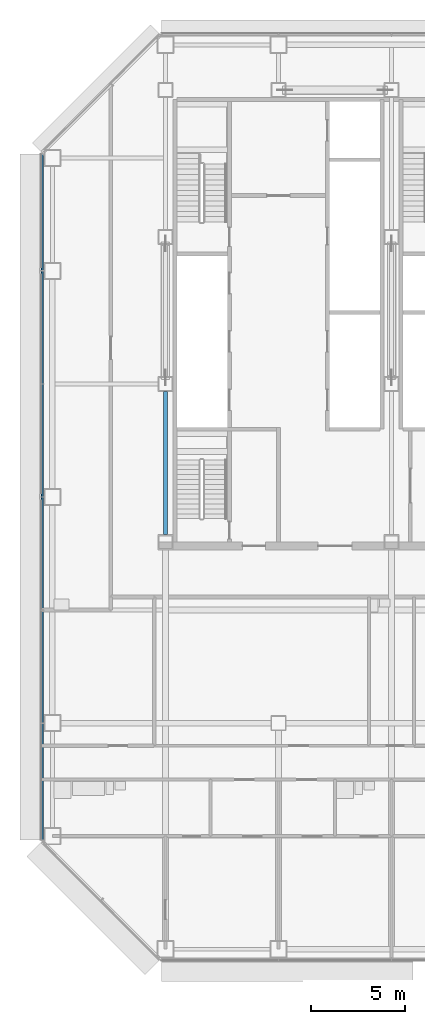
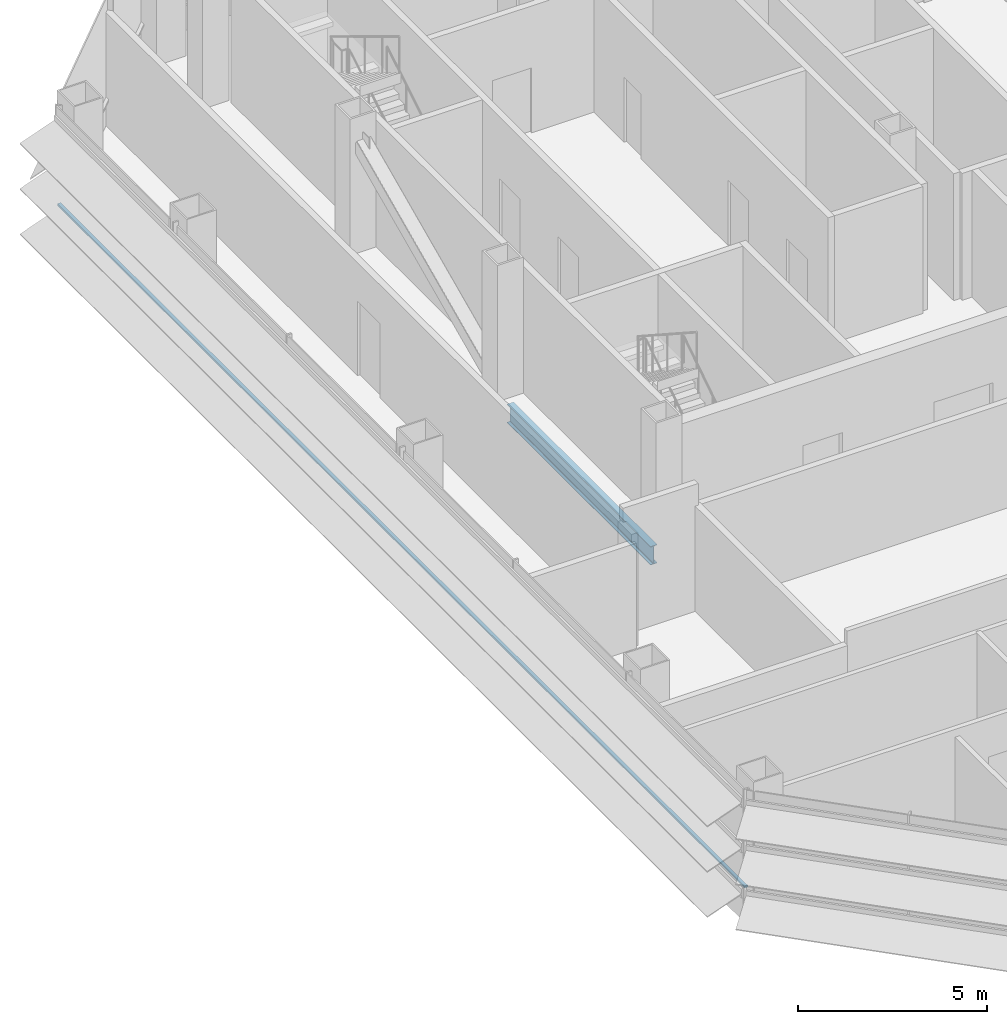
# One storey, part 5 of 27: 1 beam, 1 member, 1 element without a shape of its own.
"""IFC4 building model written with IfcOpenShell, lengths in metres."""

from ifc_helpers import new_model, si_unit, direction, frame, origin, origin_2d, place, context, subcontext, project, spatial, rectangle, i_section, extrude, material, material_profile, profile_set, type_object, element, aggregate, save


model = new_model("IFC4")

# Units and contexts
model_context = context("Model", 3, precision=1e-05, world=origin(), true_north=direction((0.0, 1.0)))
body_context = subcontext(model_context, "Body", "Model", "MODEL_VIEW")
ifc_project = project(units=[si_unit("LENGTHUNIT", "METRE"), si_unit("AREAUNIT", "SQUARE_METRE"), si_unit("VOLUMEUNIT", "CUBIC_METRE"), si_unit("PLANEANGLEUNIT", "RADIAN"), si_unit("MASSUNIT", "GRAM", prefix="KILO")], contexts=[model_context])

# Site, building, storey
site_placement = place(None, origin())
site = spatial("IfcSite", under=ifc_project, at=site_placement, CompositionType="ELEMENT")
building_placement = place(site_placement, origin())
building = spatial("IfcBuilding", under=site, at=building_placement, Name="Sorahane Residences", CompositionType="ELEMENT")
storey_placement = place(building_placement, frame((0.0, 0.0, 85.800048828125)))
storey = spatial("IfcBuildingStorey", under=building, at=storey_placement, Name="L18", CompositionType="ELEMENT", Elevation=85.800048828125)

# Curtain wall, member
ifc_material_1 = material(Name="Dark low-e glass and black anodised aluminium", Category="aluminium")
curtain_wall_type = type_object("IfcCurtainWallType", Name="Curtain wall CW-1 Typical unitised wall", PredefinedType="NOTDEFINED", material=ifc_material_1)
curtain_wall_placement = place(storey_placement, origin())
curtain_wall = element("IfcCurtainWall", 1, at=curtain_wall_placement, inside=storey, type_object=curtain_wall_type, Name="CW-1 curtain wall L18 W1", PredefinedType="NOTDEFINED")
ifc_material_2 = material(Name="Black anodised aluminium", Category="aluminium")
ifc_material_profile_1 = material_profile(ifc_material_2, rectangle(XDim=0.10009765625, YDim=0.06005859375, at=origin_2d()), Name="Curtain wall transom CW-1 black anodised aluminium 60x100")
ifc_profile_set_1 = profile_set([ifc_material_profile_1], Name="Black anodised aluminium")
member_type = type_object("IfcMemberType", Name="Curtain wall transom CW-1 black anodised aluminium 60x100", PredefinedType="USERDEFINED", material=ifc_profile_set_1)
member_placement = place(storey_placement, frame((-0.530029296875, 42.198486328125, 0.89990234375), z_axis=(0.0, -1.0, 0.0), x_axis=(1.0, 0.0, 0.0)))
member = element("IfcMember", 2, at=member_placement, type_object=member_type, Name="CW-1 transom L18 W1", ObjectType="TRANSOM", PredefinedType="USERDEFINED", context=body_context, shape_type="SweptSolid", body=[
    extrude(rectangle(XDim=0.10009765625, YDim=0.06005859375, at=origin_2d()), origin(), (0.0, 0.0, 1.0), 36.39697265625),
])
aggregate(curtain_wall, [member])

# Beam
ifc_material_3 = material(Name="Steel Q355B", Category="steel")
ifc_material_profile_2 = material_profile(ifc_material_3, i_section(OverallWidth=0.199951171875, OverallDepth=0.60009765625, WebThickness=0.010986328125, FlangeThickness=0.01708984375, FilletRadius=0.02392578125, at=origin_2d()), Name="HN 600x200x11x17")
ifc_profile_set_2 = profile_set([ifc_material_profile_2], Name="Steel Q355B")
beam_type = type_object("IfcBeamType", Name="Steel floor beam HN 600x200x11x17 Q355B", PredefinedType="BEAM", material=ifc_profile_set_2)
beam_placement = place(storey_placement, frame((6.0, 22.0, -0.47998046875), z_axis=(0.0, 1.0, 0.0), x_axis=(-1.0, 0.0, 0.0)))
element("IfcBeam", 3, at=beam_placement, inside=storey, type_object=beam_type, Name="Beam L18 023", PredefinedType="BEAM", context=body_context, shape_type="SweptSolid", body=[
    extrude(i_section(OverallWidth=0.199951171875, OverallDepth=0.60009765625, WebThickness=0.010986328125, FlangeThickness=0.01708984375, FilletRadius=0.02392578125, at=origin_2d()), origin(), (0.0, 0.0, 1.0), 7.60009765625),
])

save(model, "model.ifc")
